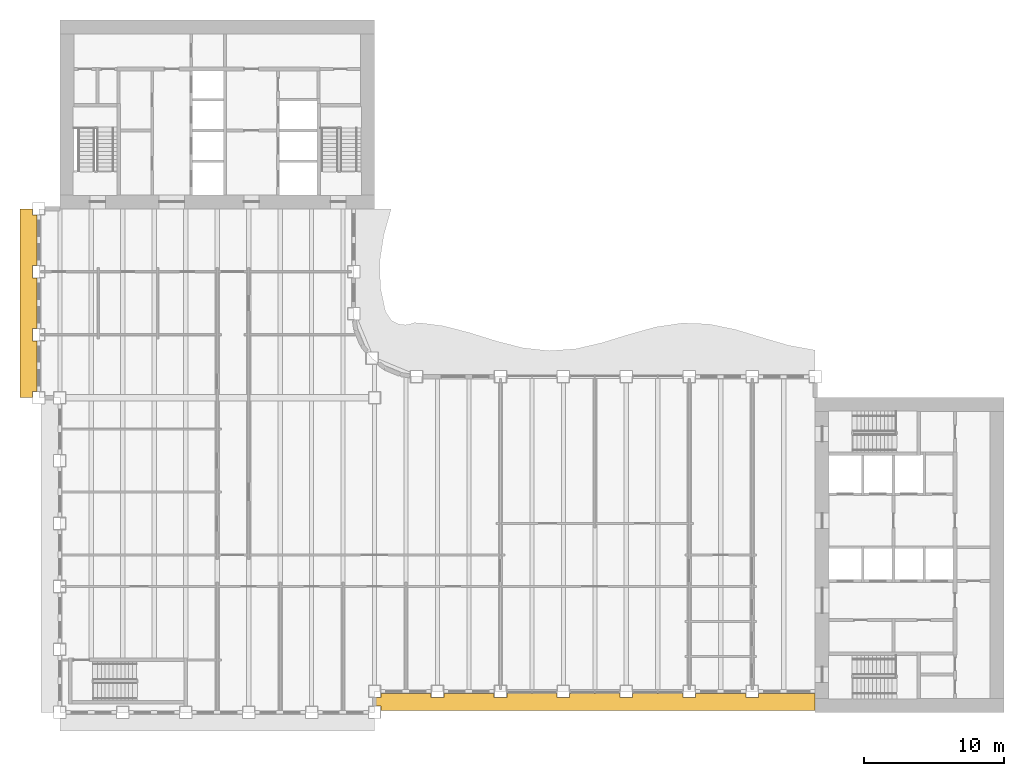
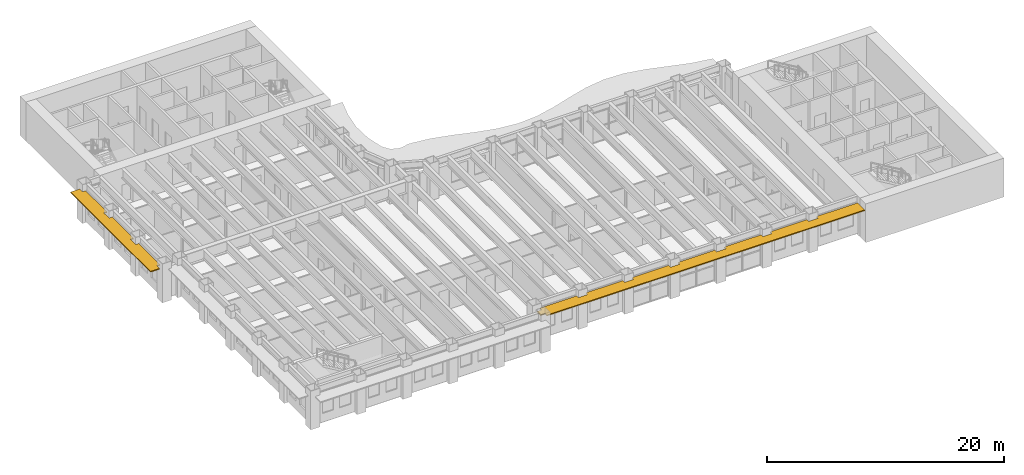
# One storey, part 13 of 17: 2 shading devices.
"""IFC4 building model written with IfcOpenShell, lengths in metres."""

from ifc_helpers import new_model, si_unit, direction, frame, origin, place, context, subcontext, project, spatial, polyline, outline, extrude, material, layer, layer_set, type_object, element, save


model = new_model("IFC4")

# Units and contexts
model_context = context("Model", 3, precision=1e-05, world=origin(), true_north=direction((0.0, 1.0)))
body_context = subcontext(model_context, "Body", "Model", "MODEL_VIEW")
ifc_project = project(units=[si_unit("LENGTHUNIT", "METRE"), si_unit("AREAUNIT", "SQUARE_METRE"), si_unit("VOLUMEUNIT", "CUBIC_METRE"), si_unit("PLANEANGLEUNIT", "RADIAN"), si_unit("MASSUNIT", "GRAM", prefix="KILO")], contexts=[model_context])

# Site, building, storey
site_placement = place(None, origin())
site = spatial("IfcSite", under=ifc_project, at=site_placement, CompositionType="ELEMENT")
building_placement = place(site_placement, origin())
building = spatial("IfcBuilding", under=site, at=building_placement, Name="Sennacour Bend Tower", CompositionType="ELEMENT")
storey_placement = place(building_placement, frame((0.0, 0.0, 151.0)))
storey = spatial("IfcBuildingStorey", under=building, at=storey_placement, Name="L34", CompositionType="ELEMENT", Elevation=151.0)

# Shading devices
ifc_material = material(Name="Bronze anodised aluminium", Category="aluminium")
ifc_layer = layer(ifc_material, 0.10009765625, Name="Bronze anodised aluminium", Category="aluminium")
ifc_layer_set = layer_set([ifc_layer], Name="Bronze anodised aluminium")
shading_device_type = type_object("IfcShadingDeviceType", Name="SUNSHADE BAND STRAIGHT", PredefinedType="USERDEFINED", material=ifc_layer_set)
shading_device_1_placement = place(storey_placement, frame((0.0, 0.0, 3.049072265625)))
element("IfcShadingDevice", 1, at=shading_device_1_placement, inside=storey, type_object=shading_device_type, Name="Sunshade band L34 A outer face", ObjectType="SUNSHADE", PredefinedType="USERDEFINED", context=body_context, shape_type="SweptSolid", body=[
    extrude(outline(polyline([(26.550048828125, 1.35009765625), (26.550048828125, 1.050048828125), (27.449951171875, 1.050048828125), (27.449951171875, 1.35009765625), (31.050048828125, 1.35009765625), (31.050048828125, 1.050048828125), (31.949951171875, 1.050048828125), (31.949951171875, 1.35009765625), (35.550048828125, 1.35009765625), (35.550048828125, 1.050048828125), (36.449951171875, 1.050048828125), (36.449951171875, 1.35009765625), (40.050048828125, 1.35009765625), (40.050048828125, 1.050048828125), (40.949951171875, 1.050048828125), (40.949951171875, 1.35009765625), (44.550048828125, 1.35009765625), (44.550048828125, 1.050048828125), (45.449951171875, 1.050048828125), (45.449951171875, 1.35009765625), (49.050048828125, 1.35009765625), (49.050048828125, 1.050048828125), (49.949951171875, 1.050048828125), (49.949951171875, 1.35009765625), (54.0, 1.35009765625), (54.0, 0.14990234375), (22.949951171875, 0.14990234375), (22.949951171875, 0.449951171875), (22.5, 0.449951171875), (22.5, 1.050048828125), (22.949951171875, 1.050048828125), (22.949951171875, 1.35009765625), (26.550048828125, 1.35009765625)])), origin(), (0.0, 0.0, 1.0), 0.099853515625),
])
shading_device_2_placement = place(storey_placement, frame((0.0, 0.0, 3.049072265625)))
element("IfcShadingDevice", 2, at=shading_device_2_placement, inside=storey, type_object=shading_device_type, Name="Sunshade band L34 B outer face", ObjectType="SUNSHADE", PredefinedType="USERDEFINED", context=body_context, shape_type="SweptSolid", body=[
    extrude(outline(polyline([(-1.64990234375, 31.949951171875), (-1.949951171875, 31.949951171875), (-1.949951171875, 31.050048828125), (-1.64990234375, 31.050048828125), (-1.64990234375, 27.449951171875), (-1.949951171875, 27.449951171875), (-1.949951171875, 26.550048828125), (-1.64990234375, 26.550048828125), (-1.64990234375, 22.949951171875), (-1.949951171875, 22.949951171875), (-1.949951171875, 22.5), (-2.85009765625, 22.5), (-2.85009765625, 36.0), (-1.949951171875, 36.0), (-1.949951171875, 35.550048828125), (-1.64990234375, 35.550048828125), (-1.64990234375, 31.949951171875)])), origin(), (0.0, 0.0, 1.0), 0.099853515625),
])

save(model, "model.ifc")
